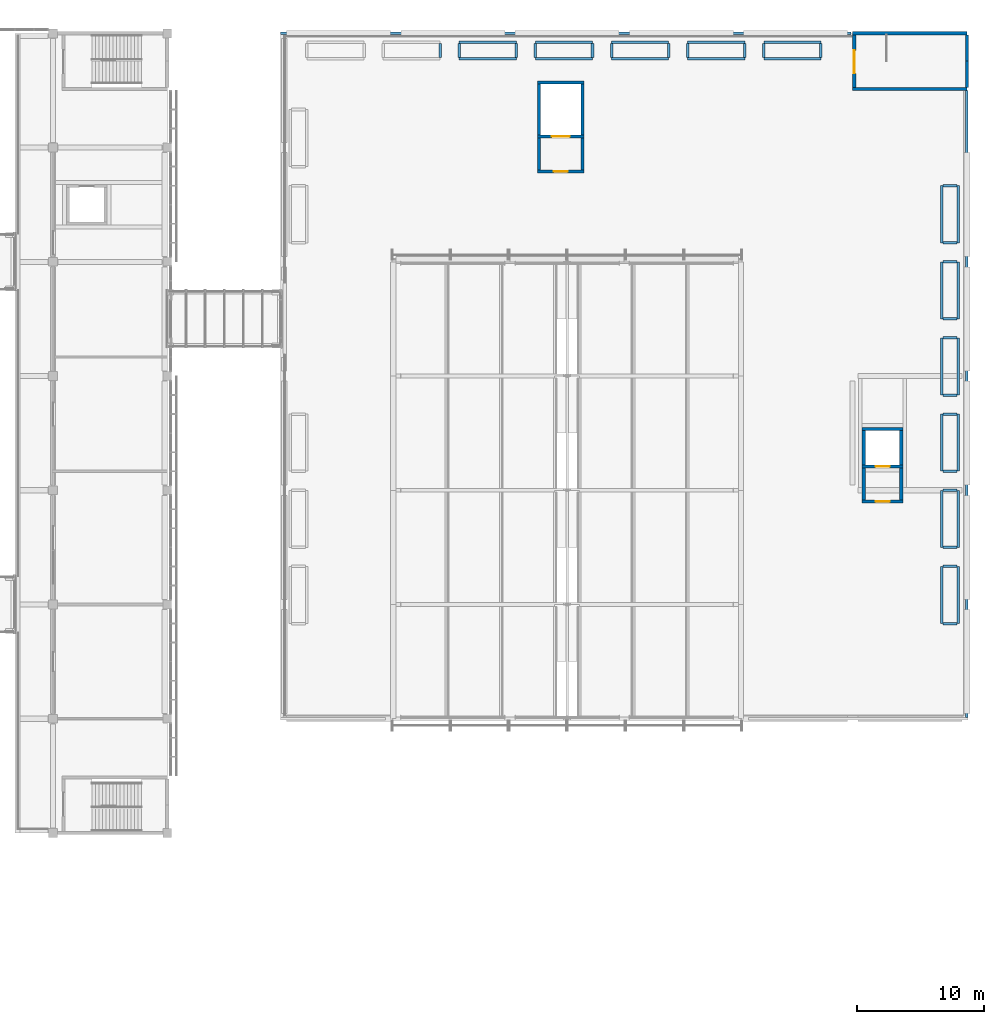
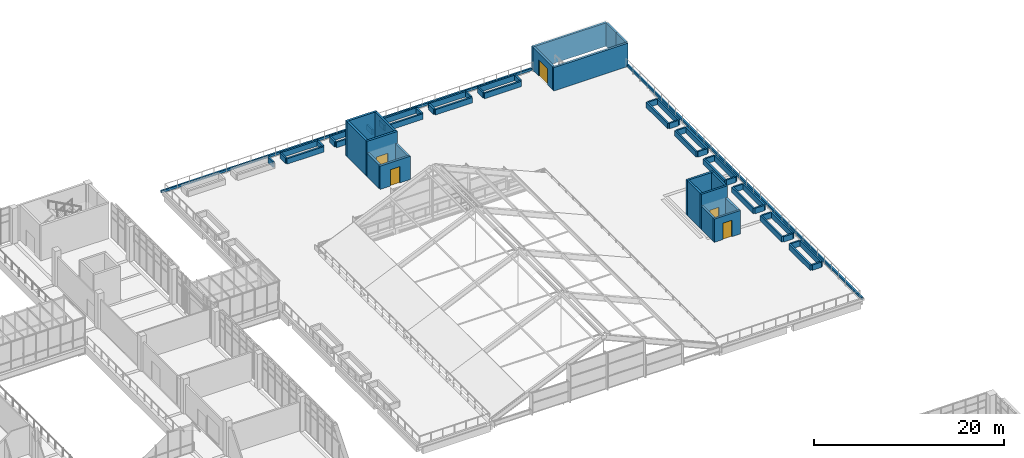
# One storey, part 79 of 106: 66 walls, 5 doors, 5 openings.
"""IFC4 building model written with IfcOpenShell, lengths in metres."""

import ifcopenshell
import ifcopenshell.guid

model = None  # the IFC model being written
_history = None  # IfcOwnerHistory: only IFC2X3 demands one
_inside = {}  # id of a spatial element -> (the spatial element, [elements in it])
_under = {}  # id of a project, library or spatial element -> (it, [spatial elements below it])
_declared = {}  # id of a project -> (the project, [libraries it declares])
_typed = {}  # id of a type object -> (the type object, [elements of that type])
_made_of = {}  # id of a material, layer set ... -> (it, [elements and type objects made of it])


def new_model(schema):
    """Start an empty IFC model of exactly this schema.

    Asked for "IFC4X3", IfcOpenShell would pick the latest addendum, in which some entities
    have other attributes; the version numbers below select the first issue.
    IFC2X3 requires an IfcOwnerHistory on every rooted entity: one is made here for all.
    """
    global model, _history
    if schema == "IFC4X3":
        model = ifcopenshell.file(schema_version=(4, 3, 0, 0))
    else:
        model = ifcopenshell.file(schema=schema)
    _inside.clear()
    _under.clear()
    _declared.clear()
    _typed.clear()
    _made_of.clear()
    _history = None
    if model.schema == "IFC2X3":
        org = make("IfcOrganization", Name="unknown")
        user = make(
            "IfcPersonAndOrganization",
            ThePerson=make("IfcPerson", FamilyName="unknown"),
            TheOrganization=org,
        )
        app = make(
            "IfcApplication",
            ApplicationDeveloper=org,
            Version="unknown",
            ApplicationFullName="unknown",
            ApplicationIdentifier="unknown",
        )
        _history = make(
            "IfcOwnerHistory",
            OwningUser=user,
            OwningApplication=app,
            ChangeAction="ADDED",
            CreationDate=0,
        )
    return model


def make(cls, **values):
    """One entity of the class cls with the attributes given. An attribute that is None is left unset."""
    return model.create_entity(
        cls, **{name: value for name, value in values.items() if value is not None}
    )


def rooted(cls, **values):
    """An entity with a GlobalId (a new one), such as an element, a storey or a relation."""
    return make(cls, GlobalId=ifcopenshell.guid.new(), OwnerHistory=_history, **values)


def si_unit(unit_type, name, prefix=None):
    """IfcSIUnit, for example si_unit("LENGTHUNIT", "METRE", prefix="MILLI")."""
    return make("IfcSIUnit", UnitType=unit_type, Prefix=prefix, Name=name)


def assignment(units):
    """IfcUnitAssignment: the units of a project."""
    return None if units is None else make("IfcUnitAssignment", Units=units)


def point(xyz):
    """IfcCartesianPoint."""
    return None if xyz is None else make("IfcCartesianPoint", Coordinates=xyz)


def direction(xyz):
    """IfcDirection."""
    return None if xyz is None else make("IfcDirection", DirectionRatios=xyz)


def frame(location, z_axis=None, x_axis=None):
    """IfcAxis2Placement3D, a coordinate frame: its origin and axes. An axis left out is left unset."""
    return make(
        "IfcAxis2Placement3D",
        Location=point(location),
        Axis=direction(z_axis),
        RefDirection=direction(x_axis),
    )


def frame_2d(location, x_axis=None):
    """IfcAxis2Placement2D, a coordinate frame in the plane: its origin and x axis."""
    return make(
        "IfcAxis2Placement2D", Location=point(location), RefDirection=direction(x_axis)
    )


def origin():
    """The frame at (0, 0, 0) with its axes left unset."""
    return frame((0.0, 0.0, 0.0))


def place(relative_to, where):
    """IfcLocalPlacement: puts the frame where relative to a parent placement (None: the world)."""
    return make(
        "IfcLocalPlacement", PlacementRelTo=relative_to, RelativePlacement=where
    )


def context(
    kind, dimensions, precision=None, world=None, true_north=None, identifier=None
):
    """IfcGeometricRepresentationContext, for example the 3D "Model" context."""
    return make(
        "IfcGeometricRepresentationContext",
        ContextIdentifier=identifier,
        ContextType=kind,
        CoordinateSpaceDimension=dimensions,
        Precision=precision,
        WorldCoordinateSystem=world,
        TrueNorth=true_north,
    )


def subcontext(parent, identifier, kind, view, scale=None):
    """IfcGeometricRepresentationSubContext, for example "Body" below "Model"."""
    return make(
        "IfcGeometricRepresentationSubContext",
        ContextIdentifier=identifier,
        ContextType=kind,
        ParentContext=parent,
        TargetScale=scale,
        TargetView=view,
    )


def project(units=None, contexts=None):
    """IfcProject with its units and contexts."""
    return rooted(
        "IfcProject",
        Name="project",
        RepresentationContexts=contexts,
        UnitsInContext=assignment(units),
    )


def spatial(cls, under=None, at=None, **own):
    """A site, building, storey or space (cls), placed at a placement, below another one or the project."""
    s = rooted(cls, ObjectPlacement=at, **own)
    if under is not None:
        _under.setdefault(under.id(), (under, []))[1].append(s)
    return s


def profile(cls, at=None, kind="AREA", **sizes):
    """A parametric profile (cls). Its sizes go by their IFC names, for example OverallWidth=200.0."""
    return make(cls, ProfileType=kind, Position=at, **sizes)


def rectangle(**sizes):
    """IfcRectangleProfileDef."""
    return profile("IfcRectangleProfileDef", **sizes)


def extrude(swept, where, along, depth):
    """IfcExtrudedAreaSolid: the profile swept, set in the frame where, extruded along a direction by depth."""
    return make(
        "IfcExtrudedAreaSolid",
        SweptArea=swept,
        Position=where,
        ExtrudedDirection=direction(along),
        Depth=depth,
    )


def shape(context_of_items, identifier, shape_type, items):
    """IfcShapeRepresentation: the items that make up one representation, for example the "Body"."""
    return make(
        "IfcShapeRepresentation",
        ContextOfItems=context_of_items,
        RepresentationIdentifier=identifier,
        RepresentationType=shape_type,
        Items=items,
    )


def material(Name=None, Category=None):
    """IfcMaterial."""
    return make("IfcMaterial", Name=Name, Category=Category)


def layer(
    of_material, thickness, ventilated=None, Name=None, Category=None, Priority=None
):
    """IfcMaterialLayer: one layer of a wall or slab, of a material (None: an air gap)."""
    return make(
        "IfcMaterialLayer",
        Material=of_material,
        LayerThickness=thickness,
        IsVentilated=ventilated,
        Name=Name,
        Category=Category,
        Priority=Priority,
    )


def layer_set(layers, Name=None):
    """IfcMaterialLayerSet."""
    return make("IfcMaterialLayerSet", MaterialLayers=layers, LayerSetName=Name)


def made_of(thing, what):
    """Note that an element or type object is made of a material, layer set ...; save() writes the relation."""
    if what is not None:
        _made_of.setdefault(what.id(), (what, []))[1].append(thing)
    return thing


def type_object(cls, material=None, **own):
    """A type object (cls), such as IfcWallType, which elements share."""
    return made_of(rooted(cls, **own), material)


def element(
    cls,
    number,
    at=None,
    inside=None,
    cuts=None,
    type_object=None,
    material=None,
    context=None,
    identifier="Body",
    shape_type=None,
    held_by="IfcProductDefinitionShape",
    body=None,
    shapes=None,
    **own,
):
    """One element of the class cls, such as IfcWall. Its Tag is "e" and its number.

    at: its placement. inside: the storey or other place that contains it. cuts: it is an
    opening in that element (IfcRelVoidsElement). A single representation is given by context,
    identifier, shape_type and body (its items); several are given by shapes. held_by: the class
    of the entity that holds the representations. save() writes the other relations.
    """
    e = rooted(cls, Tag="e%d" % number, ObjectPlacement=at, **own)
    if body is not None:
        shapes = [shape(context, identifier, shape_type, body)]
    if shapes is not None:
        e.Representation = make(held_by, Representations=shapes)
    if inside is not None:
        _inside.setdefault(inside.id(), (inside, []))[1].append(e)
    if cuts is not None:
        rooted(
            "IfcRelVoidsElement", RelatingBuildingElement=cuts, RelatedOpeningElement=e
        )
    if type_object is not None:
        _typed.setdefault(type_object.id(), (type_object, []))[1].append(e)
    return made_of(e, material)


def fill(opening, filler):
    """IfcRelFillsElement: the door or window that sits in an opening."""
    return rooted(
        "IfcRelFillsElement",
        RelatingOpeningElement=opening,
        RelatedBuildingElement=filler,
    )


def aggregate(whole, parts):
    """IfcRelAggregates: a whole, such as a stair, and the parts it consists of."""
    return rooted("IfcRelAggregates", RelatingObject=whole, RelatedObjects=parts)


def save(model, path):
    """Write the relations noted so far, then the file.

    IfcRelAggregates (storeys below a building ...), IfcRelContainedInSpatialStructure (elements
    in a storey), IfcRelDefinesByType, IfcRelAssociatesMaterial and IfcRelDeclares: one each for
    every whole, place, type object, material and project.
    """
    for whole, parts in _under.values():
        aggregate(whole, parts)
    for where, things in _inside.values():
        rooted(
            "IfcRelContainedInSpatialStructure",
            RelatedElements=things,
            RelatingStructure=where,
        )
    for kind, things in _typed.values():
        rooted("IfcRelDefinesByType", RelatedObjects=things, RelatingType=kind)
    for what, things in _made_of.values():
        rooted("IfcRelAssociatesMaterial", RelatedObjects=things, RelatingMaterial=what)
    for by, libraries in _declared.values():
        rooted("IfcRelDeclares", RelatingContext=by, RelatedDefinitions=libraries)
    model.write(path)


model = new_model("IFC4")

# Units and contexts
model_context = context("Model", 3, precision=1e-05, world=origin(), true_north=direction((0.0, 1.0)))
body_context = subcontext(model_context, "Body", "Model", "MODEL_VIEW")
ifc_project = project(units=[si_unit("LENGTHUNIT", "METRE"), si_unit("AREAUNIT", "SQUARE_METRE"), si_unit("VOLUMEUNIT", "CUBIC_METRE"), si_unit("PLANEANGLEUNIT", "RADIAN"), si_unit("MASSUNIT", "GRAM", prefix="KILO")], contexts=[model_context])

# Site, building, storey
site_placement = place(None, origin())
site = spatial("IfcSite", under=ifc_project, at=site_placement, CompositionType="ELEMENT")
building_placement = place(site_placement, origin())
building = spatial("IfcBuilding", under=site, at=building_placement, Name="Guidao Yard Department Store", CompositionType="ELEMENT")
storey_placement = place(building_placement, frame((0.0, 0.0, 10.5)))
storey = spatial("IfcBuildingStorey", under=building, at=storey_placement, Name="L02", CompositionType="ELEMENT", Elevation=10.5)

# Walls
ifc_material_1 = material(Name="Concrete C30", Category="concrete")
ifc_layer_1 = layer(ifc_material_1, 0.199951171875)
ifc_layer_set_1 = layer_set([ifc_layer_1], Name="Planter wall 200 C30")
wall_type_1 = type_object("IfcWallType", Name="Planter wall 200 C30", PredefinedType="USERDEFINED", material=ifc_layer_set_1)
for number, where, z_axis, x_axis, name in (
    (1, (169.0, 61.5, 0.0), (0.0, 0.0, 1.0), (0.0, 1.0, 0.0), "Planter wall"),
    (2, (170.300048828125, 61.5, 0.0), (0.0, 0.0, 1.0), (0.0, 1.0, 0.0), "Planter wall"),
):
    element("IfcWall", number, at=place(storey_placement, frame(where, z_axis=z_axis, x_axis=x_axis)), inside=storey, type_object=wall_type_1, Name=name, ObjectType="PLANTER", PredefinedType="USERDEFINED", context=body_context, shape_type="SweptSolid", body=[
        extrude(rectangle(XDim=4.5, YDim=0.199951171875, at=frame_2d((2.25, 0.0))), origin(), (0.0, 0.0, 1.0), 0.699951171875),
    ])
for number, where, z_axis, x_axis, name in (
    (3, (169.10009765625, 61.5, 0.0), (0.0, 0.0, 1.0), (1.0, 0.0, 0.0), "Planter wall"),
    (4, (169.10009765625, 66.0, 0.0), (0.0, 0.0, 1.0), (1.0, 0.0, 0.0), "Planter wall"),
):
    element("IfcWall", number, at=place(storey_placement, frame(where, z_axis=z_axis, x_axis=x_axis)), inside=storey, type_object=wall_type_1, Name=name, ObjectType="PLANTER", PredefinedType="USERDEFINED", context=body_context, shape_type="SweptSolid", body=[
        extrude(rectangle(XDim=1.099853515625, YDim=0.199951171875, at=frame_2d((0.5498046875, 0.0))), origin(), (0.0, 0.0, 1.0), 0.699951171875),
    ])
for number, where, z_axis, x_axis, name in (
    (5, (169.0, 67.5, 0.0), (0.0, 0.0, 1.0), (0.0, 1.0, 0.0), "Planter wall"),
    (6, (170.300048828125, 67.5, 0.0), (0.0, 0.0, 1.0), (0.0, 1.0, 0.0), "Planter wall"),
):
    element("IfcWall", number, at=place(storey_placement, frame(where, z_axis=z_axis, x_axis=x_axis)), inside=storey, type_object=wall_type_1, Name=name, ObjectType="PLANTER", PredefinedType="USERDEFINED", context=body_context, shape_type="SweptSolid", body=[
        extrude(rectangle(XDim=4.5, YDim=0.199951171875, at=frame_2d((2.25, 0.0))), origin(), (0.0, 0.0, 1.0), 0.699951171875),
    ])
for number, where, z_axis, x_axis, name in (
    (7, (169.10009765625, 67.5, 0.0), (0.0, 0.0, 1.0), (1.0, 0.0, 0.0), "Planter wall"),
    (8, (169.10009765625, 72.0, 0.0), (0.0, 0.0, 1.0), (1.0, 0.0, 0.0), "Planter wall"),
):
    element("IfcWall", number, at=place(storey_placement, frame(where, z_axis=z_axis, x_axis=x_axis)), inside=storey, type_object=wall_type_1, Name=name, ObjectType="PLANTER", PredefinedType="USERDEFINED", context=body_context, shape_type="SweptSolid", body=[
        extrude(rectangle(XDim=1.099853515625, YDim=0.199951171875, at=frame_2d((0.5498046875, 0.0))), origin(), (0.0, 0.0, 1.0), 0.699951171875),
    ])
for number, where, z_axis, x_axis, name in (
    (9, (169.0, 73.5, 0.0), (0.0, 0.0, 1.0), (0.0, 1.0, 0.0), "Planter wall"),
    (10, (170.300048828125, 73.5, 0.0), (0.0, 0.0, 1.0), (0.0, 1.0, 0.0), "Planter wall"),
):
    element("IfcWall", number, at=place(storey_placement, frame(where, z_axis=z_axis, x_axis=x_axis)), inside=storey, type_object=wall_type_1, Name=name, ObjectType="PLANTER", PredefinedType="USERDEFINED", context=body_context, shape_type="SweptSolid", body=[
        extrude(rectangle(XDim=4.5, YDim=0.199951171875, at=frame_2d((2.25, 0.0))), origin(), (0.0, 0.0, 1.0), 0.699951171875),
    ])
for number, where, z_axis, x_axis, name in (
    (11, (169.10009765625, 73.5, 0.0), (0.0, 0.0, 1.0), (1.0, 0.0, 0.0), "Planter wall"),
    (12, (169.10009765625, 78.0, 0.0), (0.0, 0.0, 1.0), (1.0, 0.0, 0.0), "Planter wall"),
):
    element("IfcWall", number, at=place(storey_placement, frame(where, z_axis=z_axis, x_axis=x_axis)), inside=storey, type_object=wall_type_1, Name=name, ObjectType="PLANTER", PredefinedType="USERDEFINED", context=body_context, shape_type="SweptSolid", body=[
        extrude(rectangle(XDim=1.099853515625, YDim=0.199951171875, at=frame_2d((0.5498046875, 0.0))), origin(), (0.0, 0.0, 1.0), 0.699951171875),
    ])
for number, where, z_axis, x_axis, name in (
    (13, (169.0, 79.5, 0.0), (0.0, 0.0, 1.0), (0.0, 1.0, 0.0), "Planter wall"),
    (14, (170.300048828125, 79.5, 0.0), (0.0, 0.0, 1.0), (0.0, 1.0, 0.0), "Planter wall"),
):
    element("IfcWall", number, at=place(storey_placement, frame(where, z_axis=z_axis, x_axis=x_axis)), inside=storey, type_object=wall_type_1, Name=name, ObjectType="PLANTER", PredefinedType="USERDEFINED", context=body_context, shape_type="SweptSolid", body=[
        extrude(rectangle(XDim=4.5, YDim=0.199951171875, at=frame_2d((2.25, 0.0))), origin(), (0.0, 0.0, 1.0), 0.699951171875),
    ])
for number, where, z_axis, x_axis, name in (
    (15, (169.10009765625, 79.5, 0.0), (0.0, 0.0, 1.0), (1.0, 0.0, 0.0), "Planter wall"),
    (16, (169.10009765625, 84.0, 0.0), (0.0, 0.0, 1.0), (1.0, 0.0, 0.0), "Planter wall"),
):
    element("IfcWall", number, at=place(storey_placement, frame(where, z_axis=z_axis, x_axis=x_axis)), inside=storey, type_object=wall_type_1, Name=name, ObjectType="PLANTER", PredefinedType="USERDEFINED", context=body_context, shape_type="SweptSolid", body=[
        extrude(rectangle(XDim=1.099853515625, YDim=0.199951171875, at=frame_2d((0.5498046875, 0.0))), origin(), (0.0, 0.0, 1.0), 0.699951171875),
    ])
for number, where, z_axis, x_axis, name in (
    (17, (169.0, 85.5, 0.0), (0.0, 0.0, 1.0), (0.0, 1.0, 0.0), "Planter wall"),
    (18, (170.300048828125, 85.5, 0.0), (0.0, 0.0, 1.0), (0.0, 1.0, 0.0), "Planter wall"),
):
    element("IfcWall", number, at=place(storey_placement, frame(where, z_axis=z_axis, x_axis=x_axis)), inside=storey, type_object=wall_type_1, Name=name, ObjectType="PLANTER", PredefinedType="USERDEFINED", context=body_context, shape_type="SweptSolid", body=[
        extrude(rectangle(XDim=4.5, YDim=0.199951171875, at=frame_2d((2.25, 0.0))), origin(), (0.0, 0.0, 1.0), 0.699951171875),
    ])
for number, where, z_axis, x_axis, name in (
    (19, (169.10009765625, 85.5, 0.0), (0.0, 0.0, 1.0), (1.0, 0.0, 0.0), "Planter wall"),
    (20, (169.10009765625, 90.0, 0.0), (0.0, 0.0, 1.0), (1.0, 0.0, 0.0), "Planter wall"),
):
    element("IfcWall", number, at=place(storey_placement, frame(where, z_axis=z_axis, x_axis=x_axis)), inside=storey, type_object=wall_type_1, Name=name, ObjectType="PLANTER", PredefinedType="USERDEFINED", context=body_context, shape_type="SweptSolid", body=[
        extrude(rectangle(XDim=1.099853515625, YDim=0.199951171875, at=frame_2d((0.5498046875, 0.0))), origin(), (0.0, 0.0, 1.0), 0.699951171875),
    ])
for number, where, z_axis, x_axis, name in (
    (21, (169.0, 91.5, 0.0), (0.0, 0.0, 1.0), (0.0, 1.0, 0.0), "Planter wall"),
    (22, (170.300048828125, 91.5, 0.0), (0.0, 0.0, 1.0), (0.0, 1.0, 0.0), "Planter wall"),
):
    element("IfcWall", number, at=place(storey_placement, frame(where, z_axis=z_axis, x_axis=x_axis)), inside=storey, type_object=wall_type_1, Name=name, ObjectType="PLANTER", PredefinedType="USERDEFINED", context=body_context, shape_type="SweptSolid", body=[
        extrude(rectangle(XDim=4.5, YDim=0.199951171875, at=frame_2d((2.25, 0.0))), origin(), (0.0, 0.0, 1.0), 0.699951171875),
    ])
for number, where, z_axis, x_axis, name in (
    (23, (169.10009765625, 91.5, 0.0), (0.0, 0.0, 1.0), (1.0, 0.0, 0.0), "Planter wall"),
    (24, (169.10009765625, 96.0, 0.0), (0.0, 0.0, 1.0), (1.0, 0.0, 0.0), "Planter wall"),
    (25, (129.5, 106.10009765625, 0.0), (0.0, 0.0, 1.0), (0.0, 1.0, 0.0), "Planter wall"),
):
    element("IfcWall", number, at=place(storey_placement, frame(where, z_axis=z_axis, x_axis=x_axis)), inside=storey, type_object=wall_type_1, Name=name, ObjectType="PLANTER", PredefinedType="USERDEFINED", context=body_context, shape_type="SweptSolid", body=[
        extrude(rectangle(XDim=1.099853515625, YDim=0.199951171875, at=frame_2d((0.5498046875, 0.0))), origin(), (0.0, 0.0, 1.0), 0.699951171875),
    ])
for number, where, z_axis, x_axis, name in (
    (26, (131.0, 106.0, 0.0), (0.0, 0.0, 1.0), (1.0, 0.0, 0.0), "Planter wall"),
    (27, (131.0, 107.300048828125, 0.0), (0.0, 0.0, 1.0), (1.0, 0.0, 0.0), "Planter wall"),
):
    element("IfcWall", number, at=place(storey_placement, frame(where, z_axis=z_axis, x_axis=x_axis)), inside=storey, type_object=wall_type_1, Name=name, ObjectType="PLANTER", PredefinedType="USERDEFINED", context=body_context, shape_type="SweptSolid", body=[
        extrude(rectangle(XDim=4.5, YDim=0.199951171875, at=frame_2d((2.25, 0.0))), origin(), (0.0, 0.0, 1.0), 0.699951171875),
    ])
for number, where, z_axis, x_axis, name in (
    (28, (131.0, 106.10009765625, 0.0), (0.0, 0.0, 1.0), (0.0, 1.0, 0.0), "Planter wall"),
    (29, (135.5, 106.10009765625, 0.0), (0.0, 0.0, 1.0), (0.0, 1.0, 0.0), "Planter wall"),
):
    element("IfcWall", number, at=place(storey_placement, frame(where, z_axis=z_axis, x_axis=x_axis)), inside=storey, type_object=wall_type_1, Name=name, ObjectType="PLANTER", PredefinedType="USERDEFINED", context=body_context, shape_type="SweptSolid", body=[
        extrude(rectangle(XDim=1.099853515625, YDim=0.199951171875, at=frame_2d((0.5498046875, 0.0))), origin(), (0.0, 0.0, 1.0), 0.699951171875),
    ])
for number, where, z_axis, x_axis, name in (
    (30, (137.0, 106.0, 0.0), (0.0, 0.0, 1.0), (1.0, 0.0, 0.0), "Planter wall"),
    (31, (137.0, 107.300048828125, 0.0), (0.0, 0.0, 1.0), (1.0, 0.0, 0.0), "Planter wall"),
):
    element("IfcWall", number, at=place(storey_placement, frame(where, z_axis=z_axis, x_axis=x_axis)), inside=storey, type_object=wall_type_1, Name=name, ObjectType="PLANTER", PredefinedType="USERDEFINED", context=body_context, shape_type="SweptSolid", body=[
        extrude(rectangle(XDim=4.5, YDim=0.199951171875, at=frame_2d((2.25, 0.0))), origin(), (0.0, 0.0, 1.0), 0.699951171875),
    ])
for number, where, z_axis, x_axis, name in (
    (32, (137.0, 106.10009765625, 0.0), (0.0, 0.0, 1.0), (0.0, 1.0, 0.0), "Planter wall"),
    (33, (141.5, 106.10009765625, 0.0), (0.0, 0.0, 1.0), (0.0, 1.0, 0.0), "Planter wall"),
):
    element("IfcWall", number, at=place(storey_placement, frame(where, z_axis=z_axis, x_axis=x_axis)), inside=storey, type_object=wall_type_1, Name=name, ObjectType="PLANTER", PredefinedType="USERDEFINED", context=body_context, shape_type="SweptSolid", body=[
        extrude(rectangle(XDim=1.099853515625, YDim=0.199951171875, at=frame_2d((0.5498046875, 0.0))), origin(), (0.0, 0.0, 1.0), 0.699951171875),
    ])
for number, where, z_axis, x_axis, name in (
    (34, (143.0, 106.0, 0.0), (0.0, 0.0, 1.0), (1.0, 0.0, 0.0), "Planter wall"),
    (35, (143.0, 107.300048828125, 0.0), (0.0, 0.0, 1.0), (1.0, 0.0, 0.0), "Planter wall"),
):
    element("IfcWall", number, at=place(storey_placement, frame(where, z_axis=z_axis, x_axis=x_axis)), inside=storey, type_object=wall_type_1, Name=name, ObjectType="PLANTER", PredefinedType="USERDEFINED", context=body_context, shape_type="SweptSolid", body=[
        extrude(rectangle(XDim=4.5, YDim=0.199951171875, at=frame_2d((2.25, 0.0))), origin(), (0.0, 0.0, 1.0), 0.699951171875),
    ])
for number, where, z_axis, x_axis, name in (
    (36, (143.0, 106.10009765625, 0.0), (0.0, 0.0, 1.0), (0.0, 1.0, 0.0), "Planter wall"),
    (37, (147.5, 106.10009765625, 0.0), (0.0, 0.0, 1.0), (0.0, 1.0, 0.0), "Planter wall"),
):
    element("IfcWall", number, at=place(storey_placement, frame(where, z_axis=z_axis, x_axis=x_axis)), inside=storey, type_object=wall_type_1, Name=name, ObjectType="PLANTER", PredefinedType="USERDEFINED", context=body_context, shape_type="SweptSolid", body=[
        extrude(rectangle(XDim=1.099853515625, YDim=0.199951171875, at=frame_2d((0.5498046875, 0.0))), origin(), (0.0, 0.0, 1.0), 0.699951171875),
    ])
for number, where, z_axis, x_axis, name in (
    (38, (149.0, 106.0, 0.0), (0.0, 0.0, 1.0), (1.0, 0.0, 0.0), "Planter wall"),
    (39, (149.0, 107.300048828125, 0.0), (0.0, 0.0, 1.0), (1.0, 0.0, 0.0), "Planter wall"),
):
    element("IfcWall", number, at=place(storey_placement, frame(where, z_axis=z_axis, x_axis=x_axis)), inside=storey, type_object=wall_type_1, Name=name, ObjectType="PLANTER", PredefinedType="USERDEFINED", context=body_context, shape_type="SweptSolid", body=[
        extrude(rectangle(XDim=4.5, YDim=0.199951171875, at=frame_2d((2.25, 0.0))), origin(), (0.0, 0.0, 1.0), 0.699951171875),
    ])
for number, where, z_axis, x_axis, name in (
    (40, (149.0, 106.10009765625, 0.0), (0.0, 0.0, 1.0), (0.0, 1.0, 0.0), "Planter wall"),
    (41, (153.5, 106.10009765625, 0.0), (0.0, 0.0, 1.0), (0.0, 1.0, 0.0), "Planter wall"),
):
    element("IfcWall", number, at=place(storey_placement, frame(where, z_axis=z_axis, x_axis=x_axis)), inside=storey, type_object=wall_type_1, Name=name, ObjectType="PLANTER", PredefinedType="USERDEFINED", context=body_context, shape_type="SweptSolid", body=[
        extrude(rectangle(XDim=1.099853515625, YDim=0.199951171875, at=frame_2d((0.5498046875, 0.0))), origin(), (0.0, 0.0, 1.0), 0.699951171875),
    ])
for number, where, z_axis, x_axis, name in (
    (42, (155.0, 106.0, 0.0), (0.0, 0.0, 1.0), (1.0, 0.0, 0.0), "Planter wall"),
    (43, (155.0, 107.300048828125, 0.0), (0.0, 0.0, 1.0), (1.0, 0.0, 0.0), "Planter wall"),
):
    element("IfcWall", number, at=place(storey_placement, frame(where, z_axis=z_axis, x_axis=x_axis)), inside=storey, type_object=wall_type_1, Name=name, ObjectType="PLANTER", PredefinedType="USERDEFINED", context=body_context, shape_type="SweptSolid", body=[
        extrude(rectangle(XDim=4.5, YDim=0.199951171875, at=frame_2d((2.25, 0.0))), origin(), (0.0, 0.0, 1.0), 0.699951171875),
    ])
for number, where, z_axis, x_axis, name in (
    (44, (155.0, 106.10009765625, 0.0), (0.0, 0.0, 1.0), (0.0, 1.0, 0.0), "Planter wall"),
    (45, (159.5, 106.10009765625, 0.0), (0.0, 0.0, 1.0), (0.0, 1.0, 0.0), "Planter wall"),
):
    element("IfcWall", number, at=place(storey_placement, frame(where, z_axis=z_axis, x_axis=x_axis)), inside=storey, type_object=wall_type_1, Name=name, ObjectType="PLANTER", PredefinedType="USERDEFINED", context=body_context, shape_type="SweptSolid", body=[
        extrude(rectangle(XDim=1.099853515625, YDim=0.199951171875, at=frame_2d((0.5498046875, 0.0))), origin(), (0.0, 0.0, 1.0), 0.699951171875),
    ])
ifc_material_2 = material(Name="Concrete C30", Category="concrete")
ifc_layer_2 = layer(ifc_material_2, 0.199951171875)
ifc_layer_set_2 = layer_set([ifc_layer_2], Name="Roof edge kerb 200 C30")
wall_type_2 = type_object("IfcWallType", Name="Roof edge kerb 200 C30", PredefinedType="PARAPET", material=ifc_layer_set_2)
wall_1_placement = place(storey_placement, frame((116.89990234375, 108.0, 0.0), z_axis=(0.0, 0.0, 1.0), x_axis=(1.0, 0.0, 0.0)))
element("IfcWall", 46, at=wall_1_placement, inside=storey, type_object=wall_type_2, Name="Roof edge kerb", PredefinedType="PARAPET", context=body_context, shape_type="SweptSolid", body=[
    extrude(rectangle(XDim=44.97509765625, YDim=0.199951171875, at=frame_2d((22.487548828125, 0.0))), origin(), (0.0, 0.0, 1.0), 0.300048828125),
])
wall_2_placement = place(storey_placement, frame((171.0, 54.10009765625, 0.0), z_axis=(0.0, 0.0, 1.0), x_axis=(0.0, 1.0, 0.0)))
element("IfcWall", 47, at=wall_2_placement, inside=storey, type_object=wall_type_2, Name="Roof edge kerb", PredefinedType="PARAPET", context=body_context, shape_type="SweptSolid", body=[
    extrude(rectangle(XDim=49.39990234375, YDim=0.199951171875, at=frame_2d((24.699951171875, 0.0))), origin(), (0.0, 0.0, 1.0), 0.300048828125),
])
ifc_material_3 = material(Name="Concrete C40", Category="concrete")
ifc_layer_3 = layer(ifc_material_3, 0.25)
ifc_layer_set_3 = layer_set([ifc_layer_3], Name="Wall RC 250 C40 stair and shaft")
wall_type_3 = type_object("IfcWallType", Name="Wall RC 250 C40 stair and shaft", PredefinedType="SHEAR", material=ifc_layer_set_3)
for number, where, z_axis, x_axis, name in (
    (48, (162.0, 103.625, 0.0), (0.0, 0.0, 1.0), (1.0, 0.0, 0.0), "Stair wall SF2"),
    (49, (162.0, 108.0, 0.0), (0.0, 0.0, 1.0), (1.0, 0.0, 0.0), "Stair wall SF2"),
):
    element("IfcWall", number, at=place(storey_placement, frame(where, z_axis=z_axis, x_axis=x_axis)), inside=storey, type_object=wall_type_3, Name=name, PredefinedType="SHEAR", context=body_context, shape_type="SweptSolid", body=[
        extrude(rectangle(XDim=9.0, YDim=0.25, at=frame_2d((4.5, 0.0))), origin(), (0.0, 0.0, 1.0), 3.0),
    ])

# Wall, opening, door
wall_3_placement = place(storey_placement, frame((162.125, 103.75, 0.0), z_axis=(0.0, 0.0, 1.0), x_axis=(0.0, 1.0, 0.0)))
wall_3 = element("IfcWall", 50, at=wall_3_placement, inside=storey, type_object=wall_type_3, Name="Stair wall SF2", PredefinedType="SHEAR", context=body_context, shape_type="SweptSolid", body=[
    extrude(rectangle(XDim=4.125, YDim=0.25, at=frame_2d((2.0625, 0.0))), origin(), (0.0, 0.0, 1.0), 3.0),
])
opening_1_placement = place(wall_3_placement, frame((1.10009765625, 0.0, 0.0)))
opening_1 = element("IfcOpeningElement", 51, at=opening_1_placement, cuts=wall_3, Name="Opening L02-808", PredefinedType="OPENING", context=body_context, shape_type="SweptSolid", body=[
    extrude(rectangle(XDim=1.800048828125, YDim=2.10009765625, at=frame_2d((0.89990234375, 1.050048828125))), frame((0.0, 0.135009765625, 0.0), z_axis=(0.0, -1.0, 0.0), x_axis=(1.0, 0.0, 0.0)), (0.0, 0.0, 1.0), 0.27001953125),
])
ifc_material_4 = material(Name="Steel Q235", Category="steel")
door_type_1 = type_object("IfcDoorType", Name="Door fire-resisting 1800 x 2100 FD60", OperationType="DOUBLE_DOOR_SINGLE_SWING", PredefinedType="DOOR", material=ifc_material_4)
door_1_placement = place(opening_1_placement, origin())
door_1 = element("IfcDoor", 52, at=door_1_placement, inside=storey, type_object=door_type_1, Name="Stair F2 door L02", OperationType="DOUBLE_DOOR_SINGLE_SWING", OverallHeight=2.10009765625, OverallWidth=1.800048828125, PredefinedType="DOOR", context=body_context, shape_type="SweptSolid", body=[
    extrude(rectangle(XDim=1.800048828125, YDim=2.10009765625, at=frame_2d((0.89990234375, 1.050048828125))), frame((0.0, 0.02490234375, 0.0), z_axis=(0.0, -1.0, 0.0), x_axis=(1.0, 0.0, 0.0)), (0.0, 0.0, 1.0), 0.050048828125),
])
fill(opening_1, door_1)

# Walls
wall_4_placement = place(storey_placement, frame((171.0, 103.75, 0.0), z_axis=(0.0, 0.0, 1.0), x_axis=(0.0, 1.0, 0.0)))
element("IfcWall", 53, at=wall_4_placement, inside=storey, type_object=wall_type_3, Name="Stair wall SF2", PredefinedType="SHEAR", context=body_context, shape_type="SweptSolid", body=[
    extrude(rectangle(XDim=2.06201171875, YDim=0.25, at=frame_2d((1.031005859375, 0.0))), origin(), (0.0, 0.0, 1.0), 3.0),
])
wall_5_placement = place(storey_placement, frame((171.0, 105.81201171875, 0.0), z_axis=(0.0, 0.0, 1.0), x_axis=(0.0, 1.0, 0.0)))
element("IfcWall", 54, at=wall_5_placement, inside=storey, type_object=wall_type_3, Name="Stair wall SF2", PredefinedType="SHEAR", context=body_context, shape_type="SweptSolid", body=[
    extrude(rectangle(XDim=2.06298828125, YDim=0.25, at=frame_2d((1.031494140625, 0.0))), origin(), (0.0, 0.0, 1.0), 3.0),
])

# Wall, opening, door
wall_6_placement = place(storey_placement, frame((162.75, 73.875, 0.0), z_axis=(0.0, 0.0, 1.0), x_axis=(1.0, 0.0, 0.0)))
wall_6 = element("IfcWall", 55, at=wall_6_placement, inside=storey, type_object=wall_type_3, Name="Lift shaft wall FL1", PredefinedType="SHEAR", context=body_context, shape_type="SweptSolid", body=[
    extrude(rectangle(XDim=3.199951171875, YDim=0.25, at=frame_2d((1.60009765625, 0.0))), origin(), (0.0, 0.0, 1.0), 4.5),
])
opening_2_placement = place(wall_6_placement, frame((1.050048828125, 0.0, 0.0)))
opening_2 = element("IfcOpeningElement", 56, at=opening_2_placement, cuts=wall_6, Name="Opening LD-FL1-L02", PredefinedType="OPENING", context=body_context, shape_type="SweptSolid", body=[
    extrude(rectangle(XDim=1.10009765625, YDim=2.10009765625, at=frame_2d((0.550048828125, 1.050048828125))), frame((0.0, 0.135009765625, 0.0), z_axis=(0.0, -1.0, 0.0), x_axis=(1.0, 0.0, 0.0)), (0.0, 0.0, 1.0), 0.27001953125),
])
ifc_material_5 = material(Name="Stainless steel 06Cr19Ni10", Category="steel")
door_type_2 = type_object("IfcDoorType", Name="Lift landing door fire-resisting sliding 1100 x 2100", OperationType="DOUBLE_DOOR_SLIDING", PredefinedType="DOOR", material=ifc_material_5)
door_2_placement = place(opening_2_placement, origin())
door_2 = element("IfcDoor", 57, at=door_2_placement, inside=storey, type_object=door_type_2, Name="Lift landing door FL1 L02", OperationType="DOUBLE_DOOR_SLIDING", OverallHeight=2.10009765625, OverallWidth=1.10009765625, PredefinedType="DOOR", context=body_context, shape_type="SweptSolid", body=[
    extrude(rectangle(XDim=1.10009765625, YDim=2.10009765625, at=frame_2d((0.550048828125, 1.050048828125))), frame((0.0, 0.02490234375, 0.0), z_axis=(0.0, -1.0, 0.0), x_axis=(1.0, 0.0, 0.0)), (0.0, 0.0, 1.0), 0.050048828125),
])
fill(opening_2, door_2)

# Walls
wall_7_placement = place(storey_placement, frame((162.75, 76.824951171875, 0.0), z_axis=(0.0, 0.0, 1.0), x_axis=(1.0, 0.0, 0.0)))
element("IfcWall", 58, at=wall_7_placement, inside=storey, type_object=wall_type_3, Name="Lift shaft wall FL1", PredefinedType="SHEAR", context=body_context, shape_type="SweptSolid", body=[
    extrude(rectangle(XDim=3.199951171875, YDim=0.25, at=frame_2d((1.60009765625, 0.0))), origin(), (0.0, 0.0, 1.0), 4.5),
])
for number, where, z_axis, x_axis, name in (
    (59, (162.875, 74.0, 0.0), (0.0, 0.0, 1.0), (0.0, 1.0, 0.0), "Lift shaft wall FL1"),
    (60, (165.824951171875, 74.0, 0.0), (0.0, 0.0, 1.0), (0.0, 1.0, 0.0), "Lift shaft wall FL1"),
):
    element("IfcWall", number, at=place(storey_placement, frame(where, z_axis=z_axis, x_axis=x_axis)), inside=storey, type_object=wall_type_3, Name=name, PredefinedType="SHEAR", context=body_context, shape_type="SweptSolid", body=[
        extrude(rectangle(XDim=2.699951171875, YDim=0.25, at=frame_2d((1.35009765625, 0.0))), origin(), (0.0, 0.0, 1.0), 4.5),
    ])

# Wall, opening, door
wall_8_placement = place(storey_placement, frame((137.14990234375, 99.875, 0.0), z_axis=(0.0, 0.0, 1.0), x_axis=(1.0, 0.0, 0.0)))
wall_8 = element("IfcWall", 61, at=wall_8_placement, inside=storey, type_object=wall_type_3, Name="Lift shaft wall FG1", PredefinedType="SHEAR", context=body_context, shape_type="SweptSolid", body=[
    extrude(rectangle(XDim=3.7001953125, YDim=0.25, at=frame_2d((1.85009765625, 0.0))), origin(), (0.0, 0.0, 1.0), 4.5),
])
opening_3_placement = place(wall_8_placement, frame((1.14990234375, 0.0, 0.0)))
opening_3 = element("IfcOpeningElement", 62, at=opening_3_placement, cuts=wall_8, Name="Opening LD-FG1-L02", PredefinedType="OPENING", context=body_context, shape_type="SweptSolid", body=[
    extrude(rectangle(XDim=1.39990234375, YDim=2.10009765625, at=frame_2d((0.699951171875, 1.050048828125))), frame((0.0, 0.135009765625, 0.0), z_axis=(0.0, -1.0, 0.0), x_axis=(1.0, 0.0, 0.0)), (0.0, 0.0, 1.0), 0.27001953125),
])
ifc_material_6 = material(Name="Stainless steel 06Cr19Ni10", Category="steel")
door_type_3 = type_object("IfcDoorType", Name="Lift landing door fire-resisting sliding 1400 x 2100", OperationType="DOUBLE_DOOR_SLIDING", PredefinedType="DOOR", material=ifc_material_6)
door_3_placement = place(opening_3_placement, origin())
door_3 = element("IfcDoor", 63, at=door_3_placement, inside=storey, type_object=door_type_3, Name="Lift landing door FG1 L02", OperationType="DOUBLE_DOOR_SLIDING", OverallHeight=2.10009765625, OverallWidth=1.39990234375, PredefinedType="DOOR", context=body_context, shape_type="SweptSolid", body=[
    extrude(rectangle(XDim=1.39990234375, YDim=2.10009765625, at=frame_2d((0.699951171875, 1.050048828125))), frame((0.0, 0.02490234375, 0.0), z_axis=(0.0, -1.0, 0.0), x_axis=(1.0, 0.0, 0.0)), (0.0, 0.0, 1.0), 0.050048828125),
])
fill(opening_3, door_3)

# Walls
wall_9_placement = place(storey_placement, frame((137.14990234375, 104.125, 0.0), z_axis=(0.0, 0.0, 1.0), x_axis=(1.0, 0.0, 0.0)))
element("IfcWall", 64, at=wall_9_placement, inside=storey, type_object=wall_type_3, Name="Lift shaft wall FG1", PredefinedType="SHEAR", context=body_context, shape_type="SweptSolid", body=[
    extrude(rectangle(XDim=3.7001953125, YDim=0.25, at=frame_2d((1.85009765625, 0.0))), origin(), (0.0, 0.0, 1.0), 4.5),
])
for number, where, z_axis, x_axis, name in (
    (65, (137.27490234375, 100.0, 0.0), (0.0, 0.0, 1.0), (0.0, 1.0, 0.0), "Lift shaft wall FG1"),
    (66, (140.72509765625, 100.0, 0.0), (0.0, 0.0, 1.0), (0.0, 1.0, 0.0), "Lift shaft wall FG1"),
):
    element("IfcWall", number, at=place(storey_placement, frame(where, z_axis=z_axis, x_axis=x_axis)), inside=storey, type_object=wall_type_3, Name=name, PredefinedType="SHEAR", context=body_context, shape_type="SweptSolid", body=[
        extrude(rectangle(XDim=4.0, YDim=0.25, at=frame_2d((2.0, 0.0))), origin(), (0.0, 0.0, 1.0), 4.5),
    ])

# Wall, opening, door
wall_10_placement = place(storey_placement, frame((137.14990234375, 97.125, 0.0), z_axis=(0.0, 0.0, 1.0), x_axis=(1.0, 0.0, 0.0)))
wall_10 = element("IfcWall", 67, at=wall_10_placement, inside=storey, type_object=wall_type_3, Name="Roof lift lobby wall FG1", PredefinedType="SHEAR", context=body_context, shape_type="SweptSolid", body=[
    extrude(rectangle(XDim=3.7001953125, YDim=0.25, at=frame_2d((1.85009765625, 0.0))), origin(), (0.0, 0.0, 1.0), 3.0),
])
opening_4_placement = place(wall_10_placement, frame((2.400146484375, 0.0, 0.0), z_axis=(0.0, 0.0, 1.0), x_axis=(-1.0, 0.0, 0.0)))
opening_4 = element("IfcOpeningElement", 68, at=opening_4_placement, cuts=wall_10, Name="Opening L02-816", PredefinedType="OPENING", context=body_context, shape_type="SweptSolid", body=[
    extrude(rectangle(XDim=1.10009765625, YDim=2.10009765625, at=frame_2d((0.550048828125, 1.050048828125))), frame((0.0, 0.135009765625, 0.0), z_axis=(0.0, -1.0, 0.0), x_axis=(1.0, 0.0, 0.0)), (0.0, 0.0, 1.0), 0.27001953125),
])
ifc_material_7 = material(Name="Steel Q235", Category="steel")
door_type_4 = type_object("IfcDoorType", Name="Door fire-resisting 1100 x 2100 FD60", OperationType="SINGLE_SWING_LEFT", PredefinedType="DOOR", material=ifc_material_7)
door_4_placement = place(opening_4_placement, origin())
door_4 = element("IfcDoor", 69, at=door_4_placement, inside=storey, type_object=door_type_4, Name="Roof lift lobby door FG1", OperationType="SINGLE_SWING_RIGHT", OverallHeight=2.10009765625, OverallWidth=1.10009765625, PredefinedType="DOOR", context=body_context, shape_type="SweptSolid", body=[
    extrude(rectangle(XDim=1.10009765625, YDim=2.10009765625, at=frame_2d((0.550048828125, 1.050048828125))), frame((0.0, 0.02490234375, 0.0), z_axis=(0.0, -1.0, 0.0), x_axis=(1.0, 0.0, 0.0)), (0.0, 0.0, 1.0), 0.050048828125),
])
fill(opening_4, door_4)

# Walls
for number, where, z_axis, x_axis, name in (
    (70, (137.27490234375, 97.25, 0.0), (0.0, 0.0, 1.0), (0.0, 1.0, 0.0), "Roof lift lobby wall FG1"),
    (71, (140.72509765625, 97.25, 0.0), (0.0, 0.0, 1.0), (0.0, 1.0, 0.0), "Roof lift lobby wall FG1"),
):
    element("IfcWall", number, at=place(storey_placement, frame(where, z_axis=z_axis, x_axis=x_axis)), inside=storey, type_object=wall_type_3, Name=name, PredefinedType="SHEAR", context=body_context, shape_type="SweptSolid", body=[
        extrude(rectangle(XDim=2.5, YDim=0.25, at=frame_2d((1.25, 0.0))), origin(), (0.0, 0.0, 1.0), 3.0),
    ])

# Wall, opening, door
wall_11_placement = place(storey_placement, frame((162.75, 71.125, 0.0), z_axis=(0.0, 0.0, 1.0), x_axis=(1.0, 0.0, 0.0)))
wall_11 = element("IfcWall", 72, at=wall_11_placement, inside=storey, type_object=wall_type_3, Name="Roof lift lobby wall FL1", PredefinedType="SHEAR", context=body_context, shape_type="SweptSolid", body=[
    extrude(rectangle(XDim=3.199951171875, YDim=0.25, at=frame_2d((1.60009765625, 0.0))), origin(), (0.0, 0.0, 1.0), 3.0),
])
opening_5_placement = place(wall_11_placement, frame((2.150146484375, 0.0, 0.0), z_axis=(0.0, 0.0, 1.0), x_axis=(-1.0, 0.0, 0.0)))
opening_5 = element("IfcOpeningElement", 73, at=opening_5_placement, cuts=wall_11, Name="Opening L02-817", PredefinedType="OPENING", context=body_context, shape_type="SweptSolid", body=[
    extrude(rectangle(XDim=1.10009765625, YDim=2.10009765625, at=frame_2d((0.550048828125, 1.050048828125))), frame((0.0, 0.135009765625, 0.0), z_axis=(0.0, -1.0, 0.0), x_axis=(1.0, 0.0, 0.0)), (0.0, 0.0, 1.0), 0.27001953125),
])
door_5_placement = place(opening_5_placement, origin())
door_5 = element("IfcDoor", 74, at=door_5_placement, inside=storey, type_object=door_type_4, Name="Roof lift lobby door FL1", OperationType="SINGLE_SWING_LEFT", OverallHeight=2.10009765625, OverallWidth=1.10009765625, PredefinedType="DOOR", context=body_context, shape_type="SweptSolid", body=[
    extrude(rectangle(XDim=1.10009765625, YDim=2.10009765625, at=frame_2d((0.550048828125, 1.050048828125))), frame((0.0, 0.02490234375, 0.0), z_axis=(0.0, -1.0, 0.0), x_axis=(1.0, 0.0, 0.0)), (0.0, 0.0, 1.0), 0.050048828125),
])
fill(opening_5, door_5)

# Walls
for number, where, z_axis, x_axis, name in (
    (75, (162.875, 71.25, 0.0), (0.0, 0.0, 1.0), (0.0, 1.0, 0.0), "Roof lift lobby wall FL1"),
    (76, (165.824951171875, 71.25, 0.0), (0.0, 0.0, 1.0), (0.0, 1.0, 0.0), "Roof lift lobby wall FL1"),
):
    element("IfcWall", number, at=place(storey_placement, frame(where, z_axis=z_axis, x_axis=x_axis)), inside=storey, type_object=wall_type_3, Name=name, PredefinedType="SHEAR", context=body_context, shape_type="SweptSolid", body=[
        extrude(rectangle(XDim=2.5, YDim=0.25, at=frame_2d((1.25, 0.0))), origin(), (0.0, 0.0, 1.0), 3.0),
    ])

save(model, "model.ifc")
